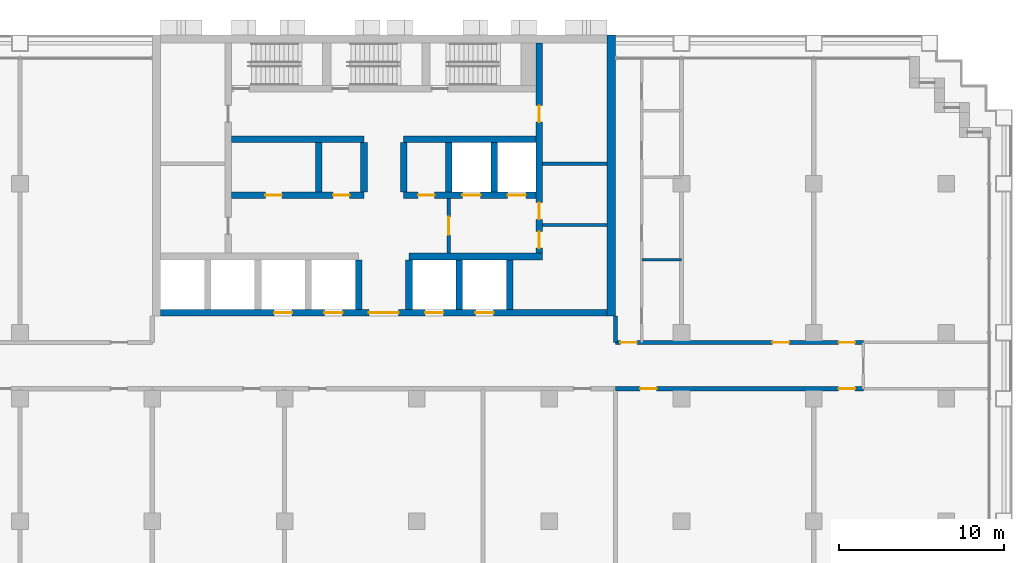
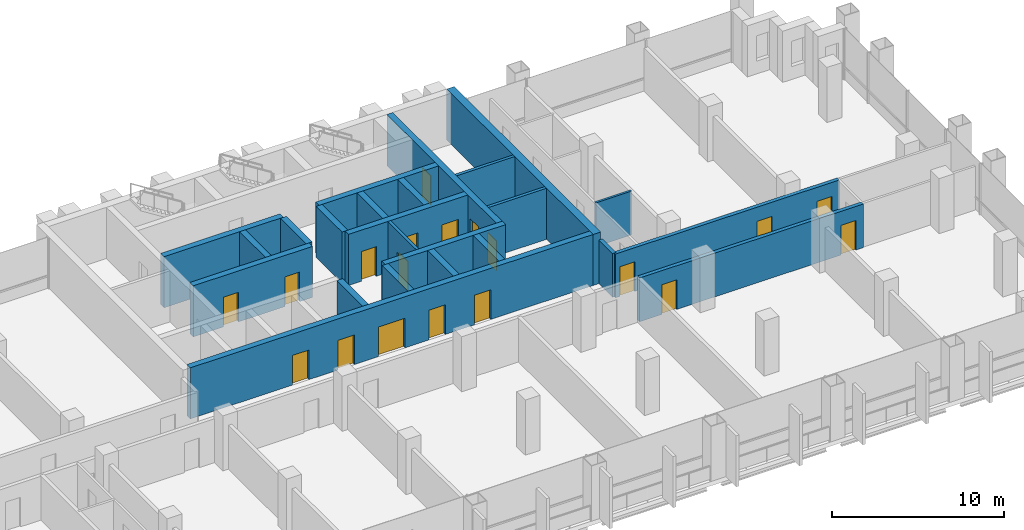
# One storey, part 8 of 13: 24 walls, 19 doors, 19 openings.
"""IFC4 building model written with IfcOpenShell, lengths in metres."""

import ifcopenshell
import ifcopenshell.guid

model = None  # the IFC model being written
_history = None  # IfcOwnerHistory: only IFC2X3 demands one
_inside = {}  # id of a spatial element -> (the spatial element, [elements in it])
_under = {}  # id of a project, library or spatial element -> (it, [spatial elements below it])
_declared = {}  # id of a project -> (the project, [libraries it declares])
_typed = {}  # id of a type object -> (the type object, [elements of that type])
_made_of = {}  # id of a material, layer set ... -> (it, [elements and type objects made of it])


def new_model(schema):
    """Start an empty IFC model of exactly this schema.

    Asked for "IFC4X3", IfcOpenShell would pick the latest addendum, in which some entities
    have other attributes; the version numbers below select the first issue.
    IFC2X3 requires an IfcOwnerHistory on every rooted entity: one is made here for all.
    """
    global model, _history
    if schema == "IFC4X3":
        model = ifcopenshell.file(schema_version=(4, 3, 0, 0))
    else:
        model = ifcopenshell.file(schema=schema)
    _inside.clear()
    _under.clear()
    _declared.clear()
    _typed.clear()
    _made_of.clear()
    _history = None
    if model.schema == "IFC2X3":
        org = make("IfcOrganization", Name="unknown")
        user = make(
            "IfcPersonAndOrganization",
            ThePerson=make("IfcPerson", FamilyName="unknown"),
            TheOrganization=org,
        )
        app = make(
            "IfcApplication",
            ApplicationDeveloper=org,
            Version="unknown",
            ApplicationFullName="unknown",
            ApplicationIdentifier="unknown",
        )
        _history = make(
            "IfcOwnerHistory",
            OwningUser=user,
            OwningApplication=app,
            ChangeAction="ADDED",
            CreationDate=0,
        )
    return model


def make(cls, **values):
    """One entity of the class cls with the attributes given. An attribute that is None is left unset."""
    return model.create_entity(
        cls, **{name: value for name, value in values.items() if value is not None}
    )


def rooted(cls, **values):
    """An entity with a GlobalId (a new one), such as an element, a storey or a relation."""
    return make(cls, GlobalId=ifcopenshell.guid.new(), OwnerHistory=_history, **values)


def si_unit(unit_type, name, prefix=None):
    """IfcSIUnit, for example si_unit("LENGTHUNIT", "METRE", prefix="MILLI")."""
    return make("IfcSIUnit", UnitType=unit_type, Prefix=prefix, Name=name)


def assignment(units):
    """IfcUnitAssignment: the units of a project."""
    return None if units is None else make("IfcUnitAssignment", Units=units)


def point(xyz):
    """IfcCartesianPoint."""
    return None if xyz is None else make("IfcCartesianPoint", Coordinates=xyz)


def direction(xyz):
    """IfcDirection."""
    return None if xyz is None else make("IfcDirection", DirectionRatios=xyz)


def frame(location, z_axis=None, x_axis=None):
    """IfcAxis2Placement3D, a coordinate frame: its origin and axes. An axis left out is left unset."""
    return make(
        "IfcAxis2Placement3D",
        Location=point(location),
        Axis=direction(z_axis),
        RefDirection=direction(x_axis),
    )


def frame_2d(location, x_axis=None):
    """IfcAxis2Placement2D, a coordinate frame in the plane: its origin and x axis."""
    return make(
        "IfcAxis2Placement2D", Location=point(location), RefDirection=direction(x_axis)
    )


def origin():
    """The frame at (0, 0, 0) with its axes left unset."""
    return frame((0.0, 0.0, 0.0))


def place(relative_to, where):
    """IfcLocalPlacement: puts the frame where relative to a parent placement (None: the world)."""
    return make(
        "IfcLocalPlacement", PlacementRelTo=relative_to, RelativePlacement=where
    )


def context(
    kind, dimensions, precision=None, world=None, true_north=None, identifier=None
):
    """IfcGeometricRepresentationContext, for example the 3D "Model" context."""
    return make(
        "IfcGeometricRepresentationContext",
        ContextIdentifier=identifier,
        ContextType=kind,
        CoordinateSpaceDimension=dimensions,
        Precision=precision,
        WorldCoordinateSystem=world,
        TrueNorth=true_north,
    )


def subcontext(parent, identifier, kind, view, scale=None):
    """IfcGeometricRepresentationSubContext, for example "Body" below "Model"."""
    return make(
        "IfcGeometricRepresentationSubContext",
        ContextIdentifier=identifier,
        ContextType=kind,
        ParentContext=parent,
        TargetScale=scale,
        TargetView=view,
    )


def project(units=None, contexts=None):
    """IfcProject with its units and contexts."""
    return rooted(
        "IfcProject",
        Name="project",
        RepresentationContexts=contexts,
        UnitsInContext=assignment(units),
    )


def spatial(cls, under=None, at=None, **own):
    """A site, building, storey or space (cls), placed at a placement, below another one or the project."""
    s = rooted(cls, ObjectPlacement=at, **own)
    if under is not None:
        _under.setdefault(under.id(), (under, []))[1].append(s)
    return s


def profile(cls, at=None, kind="AREA", **sizes):
    """A parametric profile (cls). Its sizes go by their IFC names, for example OverallWidth=200.0."""
    return make(cls, ProfileType=kind, Position=at, **sizes)


def rectangle(**sizes):
    """IfcRectangleProfileDef."""
    return profile("IfcRectangleProfileDef", **sizes)


def extrude(swept, where, along, depth):
    """IfcExtrudedAreaSolid: the profile swept, set in the frame where, extruded along a direction by depth."""
    return make(
        "IfcExtrudedAreaSolid",
        SweptArea=swept,
        Position=where,
        ExtrudedDirection=direction(along),
        Depth=depth,
    )


def shape(context_of_items, identifier, shape_type, items):
    """IfcShapeRepresentation: the items that make up one representation, for example the "Body"."""
    return make(
        "IfcShapeRepresentation",
        ContextOfItems=context_of_items,
        RepresentationIdentifier=identifier,
        RepresentationType=shape_type,
        Items=items,
    )


def material(Name=None, Category=None):
    """IfcMaterial."""
    return make("IfcMaterial", Name=Name, Category=Category)


def layer(
    of_material, thickness, ventilated=None, Name=None, Category=None, Priority=None
):
    """IfcMaterialLayer: one layer of a wall or slab, of a material (None: an air gap)."""
    return make(
        "IfcMaterialLayer",
        Material=of_material,
        LayerThickness=thickness,
        IsVentilated=ventilated,
        Name=Name,
        Category=Category,
        Priority=Priority,
    )


def layer_set(layers, Name=None):
    """IfcMaterialLayerSet."""
    return make("IfcMaterialLayerSet", MaterialLayers=layers, LayerSetName=Name)


def made_of(thing, what):
    """Note that an element or type object is made of a material, layer set ...; save() writes the relation."""
    if what is not None:
        _made_of.setdefault(what.id(), (what, []))[1].append(thing)
    return thing


def type_object(cls, material=None, **own):
    """A type object (cls), such as IfcWallType, which elements share."""
    return made_of(rooted(cls, **own), material)


def element(
    cls,
    number,
    at=None,
    inside=None,
    cuts=None,
    type_object=None,
    material=None,
    context=None,
    identifier="Body",
    shape_type=None,
    held_by="IfcProductDefinitionShape",
    body=None,
    shapes=None,
    **own,
):
    """One element of the class cls, such as IfcWall. Its Tag is "e" and its number.

    at: its placement. inside: the storey or other place that contains it. cuts: it is an
    opening in that element (IfcRelVoidsElement). A single representation is given by context,
    identifier, shape_type and body (its items); several are given by shapes. held_by: the class
    of the entity that holds the representations. save() writes the other relations.
    """
    e = rooted(cls, Tag="e%d" % number, ObjectPlacement=at, **own)
    if body is not None:
        shapes = [shape(context, identifier, shape_type, body)]
    if shapes is not None:
        e.Representation = make(held_by, Representations=shapes)
    if inside is not None:
        _inside.setdefault(inside.id(), (inside, []))[1].append(e)
    if cuts is not None:
        rooted(
            "IfcRelVoidsElement", RelatingBuildingElement=cuts, RelatedOpeningElement=e
        )
    if type_object is not None:
        _typed.setdefault(type_object.id(), (type_object, []))[1].append(e)
    return made_of(e, material)


def fill(opening, filler):
    """IfcRelFillsElement: the door or window that sits in an opening."""
    return rooted(
        "IfcRelFillsElement",
        RelatingOpeningElement=opening,
        RelatedBuildingElement=filler,
    )


def aggregate(whole, parts):
    """IfcRelAggregates: a whole, such as a stair, and the parts it consists of."""
    return rooted("IfcRelAggregates", RelatingObject=whole, RelatedObjects=parts)


def save(model, path):
    """Write the relations noted so far, then the file.

    IfcRelAggregates (storeys below a building ...), IfcRelContainedInSpatialStructure (elements
    in a storey), IfcRelDefinesByType, IfcRelAssociatesMaterial and IfcRelDeclares: one each for
    every whole, place, type object, material and project.
    """
    for whole, parts in _under.values():
        aggregate(whole, parts)
    for where, things in _inside.values():
        rooted(
            "IfcRelContainedInSpatialStructure",
            RelatedElements=things,
            RelatingStructure=where,
        )
    for kind, things in _typed.values():
        rooted("IfcRelDefinesByType", RelatedObjects=things, RelatingType=kind)
    for what, things in _made_of.values():
        rooted("IfcRelAssociatesMaterial", RelatedObjects=things, RelatingMaterial=what)
    for by, libraries in _declared.values():
        rooted("IfcRelDeclares", RelatingContext=by, RelatedDefinitions=libraries)
    model.write(path)


model = new_model("IFC4")

# Units and contexts
model_context = context("Model", 3, precision=1e-05, world=origin(), true_north=direction((0.0, 1.0)))
body_context = subcontext(model_context, "Body", "Model", "MODEL_VIEW")
ifc_project = project(units=[si_unit("LENGTHUNIT", "METRE"), si_unit("AREAUNIT", "SQUARE_METRE"), si_unit("VOLUMEUNIT", "CUBIC_METRE"), si_unit("PLANEANGLEUNIT", "RADIAN"), si_unit("MASSUNIT", "GRAM", prefix="KILO")], contexts=[model_context])

# Site, building, storey
site_placement = place(None, origin())
site = spatial("IfcSite", under=ifc_project, at=site_placement, CompositionType="ELEMENT")
building_placement = place(site_placement, origin())
building = spatial("IfcBuilding", under=site, at=building_placement, Name="Vidyagriha Tower", CompositionType="ELEMENT")
storey_placement = place(building_placement, frame((0.0, 0.0, 37.699951171875)))
storey = spatial("IfcBuildingStorey", under=building, at=storey_placement, Name="L09", CompositionType="ELEMENT", Elevation=37.699951171875)

# Wall, openings, doors
ifc_material_1 = material(Name="Concrete C60/75", Category="concrete")
ifc_layer_1 = layer(ifc_material_1, 0.39990234375)
ifc_layer_set_1 = layer_set([ifc_layer_1], Name="Concrete C60/75")
wall_type_1 = type_object("IfcWallType", Name="Core shear wall 400 mm", PredefinedType="SHEAR", material=ifc_layer_set_1)
wall_1_placement = place(storey_placement, frame((9.39990234375, 6.800048828125, 0.0), z_axis=(0.0, 0.0, 1.0), x_axis=(0.0, 1.0, 0.0)))
wall_1 = element("IfcWall", 1, at=wall_1_placement, inside=storey, type_object=wall_type_1, Name="Core east spine wall", PredefinedType="SHEAR", context=body_context, shape_type="SweptSolid", body=[
    extrude(rectangle(XDim=12.699951171875, YDim=0.39990234375, at=frame_2d((6.35009765625, 0.0))), origin(), (0.0, 0.0, 1.0), 3.6201171875),
])
opening_1_placement = place(wall_1_placement, frame((0.300048828125, 0.0, 0.0)))
opening_1 = element("IfcOpeningElement", 2, at=opening_1_placement, cuts=wall_1, Name="Opening D09-11", PredefinedType="OPENING", context=body_context, shape_type="SweptSolid", body=[
    extrude(rectangle(XDim=1.0, YDim=2.10009765625, at=frame_2d((0.5, 1.050048828125))), frame((0.0, 0.2099609375, 0.0), z_axis=(0.0, -1.0, 0.0), x_axis=(1.0, 0.0, 0.0)), (0.0, 0.0, 1.0), 0.419921875),
])
opening_2_placement = place(wall_1_placement, frame((2.050048828125, 0.0, 0.0)))
opening_2 = element("IfcOpeningElement", 3, at=opening_2_placement, cuts=wall_1, Name="Opening D09-12", PredefinedType="OPENING", context=body_context, shape_type="SweptSolid", body=[
    extrude(rectangle(XDim=1.0, YDim=2.10009765625, at=frame_2d((0.5, 1.050048828125))), frame((0.0, 0.2099609375, 0.0), z_axis=(0.0, -1.0, 0.0), x_axis=(1.0, 0.0, 0.0)), (0.0, 0.0, 1.0), 0.419921875),
])
opening_3_placement = place(wall_1_placement, frame((7.925048828125, 0.0, 0.0)))
opening_3 = element("IfcOpeningElement", 4, at=opening_3_placement, cuts=wall_1, Name="Opening D09-13", PredefinedType="OPENING", context=body_context, shape_type="SweptSolid", body=[
    extrude(rectangle(XDim=1.0, YDim=2.10009765625, at=frame_2d((0.5, 1.050048828125))), frame((0.0, 0.2099609375, 0.0), z_axis=(0.0, -1.0, 0.0), x_axis=(1.0, 0.0, 0.0)), (0.0, 0.0, 1.0), 0.419921875),
])
ifc_material_2 = material(Name="Hollow metal door leaf")
door_type_1 = type_object("IfcDoorType", Name="Core room door 1000 x 2100 mm EI 60", OperationType="NOTDEFINED", PredefinedType="DOOR", material=ifc_material_2)
door_1_placement = place(opening_1_placement, origin())
door_1 = element("IfcDoor", 5, at=door_1_placement, inside=storey, type_object=door_type_1, Name="Door Pressurisation Plant Room 09.E1", OperationType="SINGLE_SWING_RIGHT", OverallHeight=2.10009765625, OverallWidth=1.0, PredefinedType="DOOR", context=body_context, shape_type="SweptSolid", body=[
    extrude(rectangle(XDim=1.0, YDim=2.10009765625, at=frame_2d((0.5, 1.050048828125))), frame((0.0, 0.02490234375, 0.0), z_axis=(0.0, -1.0, 0.0), x_axis=(1.0, 0.0, 0.0)), (0.0, 0.0, 1.0), 0.050048828125),
])
fill(opening_1, door_1)
door_2_placement = place(opening_2_placement, origin())
door_2 = element("IfcDoor", 6, at=door_2_placement, inside=storey, type_object=door_type_1, Name="Door Switchgear Room 09.E2", OperationType="SINGLE_SWING_LEFT", OverallHeight=2.10009765625, OverallWidth=1.0, PredefinedType="DOOR", context=body_context, shape_type="SweptSolid", body=[
    extrude(rectangle(XDim=1.0, YDim=2.10009765625, at=frame_2d((0.5, 1.050048828125))), frame((0.0, 0.02490234375, 0.0), z_axis=(0.0, -1.0, 0.0), x_axis=(1.0, 0.0, 0.0)), (0.0, 0.0, 1.0), 0.050048828125),
])
fill(opening_2, door_2)
door_3_placement = place(opening_3_placement, origin())
door_3 = element("IfcDoor", 7, at=door_3_placement, inside=storey, type_object=door_type_1, Name="Door Communications Room 09.E3", OperationType="SINGLE_SWING_LEFT", OverallHeight=2.10009765625, OverallWidth=1.0, PredefinedType="DOOR", context=body_context, shape_type="SweptSolid", body=[
    extrude(rectangle(XDim=1.0, YDim=2.10009765625, at=frame_2d((0.5, 1.050048828125))), frame((0.0, 0.02490234375, 0.0), z_axis=(0.0, -1.0, 0.0), x_axis=(1.0, 0.0, 0.0)), (0.0, 0.0, 1.0), 0.050048828125),
])
fill(opening_3, door_3)

wall_2_placement = place(storey_placement, frame((-13.5, 3.199951171875, 0.0)))
wall_2 = element("IfcWall", 8, at=wall_2_placement, inside=storey, type_object=wall_type_1, Name="Core front wall", PredefinedType="SHEAR", context=body_context, shape_type="SweptSolid", body=[
    extrude(rectangle(XDim=27.0, YDim=0.39990234375, at=frame_2d((13.5, 0.0))), origin(), (0.0, 0.0, 1.0), 3.6201171875),
])
opening_4_placement = place(wall_2_placement, frame((6.861083984375, 0.0, 0.0)))
opening_4 = element("IfcOpeningElement", 9, at=opening_4_placement, cuts=wall_2, Name="Opening LD09-01", PredefinedType="OPENING", context=body_context, shape_type="SweptSolid", body=[
    extrude(rectangle(XDim=1.10009765625, YDim=2.10009765625, at=frame_2d((0.550048828125, 1.050048828125))), frame((0.0, 0.2099609375, 0.0), z_axis=(0.0, -1.0, 0.0), x_axis=(1.0, 0.0, 0.0)), (0.0, 0.0, 1.0), 0.419921875),
])
opening_5_placement = place(wall_2_placement, frame((9.905517578125, 0.0, 0.0)))
opening_5 = element("IfcOpeningElement", 10, at=opening_5_placement, cuts=wall_2, Name="Opening LD09-02", PredefinedType="OPENING", context=body_context, shape_type="SweptSolid", body=[
    extrude(rectangle(XDim=1.10009765625, YDim=2.10009765625, at=frame_2d((0.550048828125, 1.050048828125))), frame((0.0, 0.2099609375, 0.0), z_axis=(0.0, -1.0, 0.0), x_axis=(1.0, 0.0, 0.0)), (0.0, 0.0, 1.0), 0.419921875),
])
opening_6_placement = place(wall_2_placement, frame((15.994384765625, 0.0, 0.0)))
opening_6 = element("IfcOpeningElement", 11, at=opening_6_placement, cuts=wall_2, Name="Opening LD09-03", PredefinedType="OPENING", context=body_context, shape_type="SweptSolid", body=[
    extrude(rectangle(XDim=1.10009765625, YDim=2.10009765625, at=frame_2d((0.550048828125, 1.050048828125))), frame((0.0, 0.2099609375, 0.0), z_axis=(0.0, -1.0, 0.0), x_axis=(1.0, 0.0, 0.0)), (0.0, 0.0, 1.0), 0.419921875),
])
opening_7_placement = place(wall_2_placement, frame((19.038818359375, 0.0, 0.0)))
opening_7 = element("IfcOpeningElement", 12, at=opening_7_placement, cuts=wall_2, Name="Opening LD09-04", PredefinedType="OPENING", context=body_context, shape_type="SweptSolid", body=[
    extrude(rectangle(XDim=1.10009765625, YDim=2.10009765625, at=frame_2d((0.550048828125, 1.050048828125))), frame((0.0, 0.2099609375, 0.0), z_axis=(0.0, -1.0, 0.0), x_axis=(1.0, 0.0, 0.0)), (0.0, 0.0, 1.0), 0.419921875),
])
opening_8_placement = place(wall_2_placement, frame((12.60009765625, 0.0, 0.0)))
opening_8 = element("IfcOpeningElement", 13, at=opening_8_placement, cuts=wall_2, Name="Opening D09-01", PredefinedType="OPENING", context=body_context, shape_type="SweptSolid", body=[
    extrude(rectangle(XDim=1.800048828125, YDim=2.10009765625, at=frame_2d((0.89990234375, 1.050048828125))), frame((0.0, 0.2099609375, 0.0), z_axis=(0.0, -1.0, 0.0), x_axis=(1.0, 0.0, 0.0)), (0.0, 0.0, 1.0), 0.419921875),
])
ifc_material_3 = material(Name="Hollow metal door leaf")
door_type_2 = type_object("IfcDoorType", Name="Core lobby double door 1800 x 2100 mm EI 60", OperationType="NOTDEFINED", PredefinedType="DOOR", material=ifc_material_3)
door_4_placement = place(opening_8_placement, frame((1.800048828125, 0.0, 0.0), z_axis=(0.0, 0.0, 1.0), x_axis=(-1.0, 0.0, 0.0)))
door_4 = element("IfcDoor", 14, at=door_4_placement, inside=storey, type_object=door_type_2, Name="Core entrance door L09", OperationType="DOUBLE_DOOR_SINGLE_SWING", OverallHeight=2.10009765625, OverallWidth=1.800048828125, PredefinedType="DOOR", context=body_context, shape_type="SweptSolid", body=[
    extrude(rectangle(XDim=1.800048828125, YDim=2.10009765625, at=frame_2d((0.89990234375, 1.050048828125))), frame((0.0, 0.02490234375, 0.0), z_axis=(0.0, -1.0, 0.0), x_axis=(1.0, 0.0, 0.0)), (0.0, 0.0, 1.0), 0.050048828125),
])
fill(opening_8, door_4)
ifc_material_4 = material(Name="Stainless steel sliding door panel", Category="steel")
door_type_3 = type_object("IfcDoorType", Name="Lift landing door 1100 x 2100 mm EI 90", OperationType="NOTDEFINED", PredefinedType="DOOR", material=ifc_material_4)
door_5_placement = place(opening_4_placement, origin())
door_5 = element("IfcDoor", 15, at=door_5_placement, inside=storey, type_object=door_type_3, Name="Landing door LR1 L09", OperationType="SLIDING_TO_LEFT", OverallHeight=2.10009765625, OverallWidth=1.10009765625, PredefinedType="DOOR", context=body_context, shape_type="SweptSolid", body=[
    extrude(rectangle(XDim=1.10009765625, YDim=2.10009765625, at=frame_2d((0.550048828125, 1.050048828125))), frame((0.0, 0.02490234375, 0.0), z_axis=(0.0, -1.0, 0.0), x_axis=(1.0, 0.0, 0.0)), (0.0, 0.0, 1.0), 0.050048828125),
])
fill(opening_4, door_5)
door_6_placement = place(opening_5_placement, origin())
door_6 = element("IfcDoor", 16, at=door_6_placement, inside=storey, type_object=door_type_3, Name="Landing door LR2 L09", OperationType="SLIDING_TO_LEFT", OverallHeight=2.10009765625, OverallWidth=1.10009765625, PredefinedType="DOOR", context=body_context, shape_type="SweptSolid", body=[
    extrude(rectangle(XDim=1.10009765625, YDim=2.10009765625, at=frame_2d((0.550048828125, 1.050048828125))), frame((0.0, 0.02490234375, 0.0), z_axis=(0.0, -1.0, 0.0), x_axis=(1.0, 0.0, 0.0)), (0.0, 0.0, 1.0), 0.050048828125),
])
fill(opening_5, door_6)
door_7_placement = place(opening_6_placement, origin())
door_7 = element("IfcDoor", 17, at=door_7_placement, inside=storey, type_object=door_type_3, Name="Landing door LR3 L09", OperationType="SLIDING_TO_LEFT", OverallHeight=2.10009765625, OverallWidth=1.10009765625, PredefinedType="DOOR", context=body_context, shape_type="SweptSolid", body=[
    extrude(rectangle(XDim=1.10009765625, YDim=2.10009765625, at=frame_2d((0.550048828125, 1.050048828125))), frame((0.0, 0.02490234375, 0.0), z_axis=(0.0, -1.0, 0.0), x_axis=(1.0, 0.0, 0.0)), (0.0, 0.0, 1.0), 0.050048828125),
])
fill(opening_6, door_7)
door_8_placement = place(opening_7_placement, origin())
door_8 = element("IfcDoor", 18, at=door_8_placement, inside=storey, type_object=door_type_3, Name="Landing door LR4 L09", OperationType="SLIDING_TO_LEFT", OverallHeight=2.10009765625, OverallWidth=1.10009765625, PredefinedType="DOOR", context=body_context, shape_type="SweptSolid", body=[
    extrude(rectangle(XDim=1.10009765625, YDim=2.10009765625, at=frame_2d((0.550048828125, 1.050048828125))), frame((0.0, 0.02490234375, 0.0), z_axis=(0.0, -1.0, 0.0), x_axis=(1.0, 0.0, 0.0)), (0.0, 0.0, 1.0), 0.050048828125),
])
fill(opening_7, door_8)

# Walls
wall_3_placement = place(storey_placement, frame((1.522216796875, 6.60009765625, 0.0)))
element("IfcWall", 19, at=wall_3_placement, inside=storey, type_object=wall_type_1, Name="Core lobby south wall east", PredefinedType="SHEAR", context=body_context, shape_type="SweptSolid", body=[
    extrude(rectangle(XDim=8.077880859375, YDim=0.39990234375, at=frame_2d((4.0390625, 0.0))), origin(), (0.0, 0.0, 1.0), 3.6201171875),
])
for number, where, z_axis, x_axis, name in (
    (20, (-1.522216796875, 3.39990234375, 0.0), (0.0, 0.0, 1.0), (0.0, 1.0, 0.0), "Core bay wall S4"),
    (21, (1.522216796875, 3.39990234375, 0.0), (0.0, 0.0, 1.0), (0.0, 1.0, 0.0), "Core bay wall S5"),
    (22, (4.566650390625, 3.39990234375, 0.0), (0.0, 0.0, 1.0), (0.0, 1.0, 0.0), "Core bay wall S6"),
    (23, (7.611083984375, 3.39990234375, 0.0), (0.0, 0.0, 1.0), (0.0, 1.0, 0.0), "Core bay wall S7"),
):
    element("IfcWall", number, at=place(storey_placement, frame(where, z_axis=z_axis, x_axis=x_axis)), inside=storey, type_object=wall_type_1, Name=name, PredefinedType="SHEAR", context=body_context, shape_type="SweptSolid", body=[
        extrude(rectangle(XDim=3.0, YDim=0.39990234375, at=frame_2d((1.5, 0.0))), origin(), (0.0, 0.0, 1.0), 3.6201171875),
    ])

# Wall, openings, doors
wall_4_placement = place(storey_placement, frame((-9.199951171875, 10.300048828125, 0.0)))
wall_4 = element("IfcWall", 24, at=wall_4_placement, inside=storey, type_object=wall_type_1, Name="Core row N front wall", PredefinedType="SHEAR", context=body_context, shape_type="SweptSolid", body=[
    extrude(rectangle(XDim=8.0, YDim=0.39990234375, at=frame_2d((4.0, 0.0))), origin(), (0.0, 0.0, 1.0), 3.6201171875),
])
opening_9_placement = place(wall_4_placement, frame((2.033203125, 0.0, 0.0)))
opening_9 = element("IfcOpeningElement", 25, at=opening_9_placement, cuts=wall_4, Name="Opening D09-02", PredefinedType="OPENING", context=body_context, shape_type="SweptSolid", body=[
    extrude(rectangle(XDim=1.0, YDim=2.10009765625, at=frame_2d((0.5, 1.050048828125))), frame((0.0, 0.2099609375, 0.0), z_axis=(0.0, -1.0, 0.0), x_axis=(1.0, 0.0, 0.0)), (0.0, 0.0, 1.0), 0.419921875),
])
opening_10_placement = place(wall_4_placement, frame((6.13330078125, 0.0, 0.0)))
opening_10 = element("IfcOpeningElement", 26, at=opening_10_placement, cuts=wall_4, Name="Opening D09-03", PredefinedType="OPENING", context=body_context, shape_type="SweptSolid", body=[
    extrude(rectangle(XDim=1.0, YDim=2.10009765625, at=frame_2d((0.5, 1.050048828125))), frame((0.0, 0.2099609375, 0.0), z_axis=(0.0, -1.0, 0.0), x_axis=(1.0, 0.0, 0.0)), (0.0, 0.0, 1.0), 0.419921875),
])
door_9_placement = place(opening_9_placement, frame((1.0, 0.0, 0.0), z_axis=(0.0, 0.0, 1.0), x_axis=(-1.0, 0.0, 0.0)))
door_9 = element("IfcDoor", 27, at=door_9_placement, inside=storey, type_object=door_type_1, Name="Door Storage Room 09.14", OperationType="SINGLE_SWING_RIGHT", OverallHeight=2.10009765625, OverallWidth=1.0, PredefinedType="DOOR", context=body_context, shape_type="SweptSolid", body=[
    extrude(rectangle(XDim=1.0, YDim=2.10009765625, at=frame_2d((0.5, 1.050048828125))), frame((0.0, 0.02490234375, 0.0), z_axis=(0.0, -1.0, 0.0), x_axis=(1.0, 0.0, 0.0)), (0.0, 0.0, 1.0), 0.050048828125),
])
fill(opening_9, door_9)
door_10_placement = place(opening_10_placement, frame((1.0, 0.0, 0.0), z_axis=(0.0, 0.0, 1.0), x_axis=(-1.0, 0.0, 0.0)))
door_10 = element("IfcDoor", 28, at=door_10_placement, inside=storey, type_object=door_type_1, Name="Door Communications Room 09.15", OperationType="SINGLE_SWING_LEFT", OverallHeight=2.10009765625, OverallWidth=1.0, PredefinedType="DOOR", context=body_context, shape_type="SweptSolid", body=[
    extrude(rectangle(XDim=1.0, YDim=2.10009765625, at=frame_2d((0.5, 1.050048828125))), frame((0.0, 0.02490234375, 0.0), z_axis=(0.0, -1.0, 0.0), x_axis=(1.0, 0.0, 0.0)), (0.0, 0.0, 1.0), 0.050048828125),
])
fill(opening_10, door_10)

# Wall
wall_5_placement = place(storey_placement, frame((-9.199951171875, 13.699951171875, 0.0)))
element("IfcWall", 29, at=wall_5_placement, inside=storey, type_object=wall_type_1, Name="Core row N rear wall", PredefinedType="SHEAR", context=body_context, shape_type="SweptSolid", body=[
    extrude(rectangle(XDim=8.0, YDim=0.39990234375, at=frame_2d((4.0, 0.0))), origin(), (0.0, 0.0, 1.0), 3.6201171875),
])

# Wall, openings, doors
wall_6_placement = place(storey_placement, frame((1.199951171875, 10.300048828125, 0.0)))
wall_6 = element("IfcWall", 30, at=wall_6_placement, inside=storey, type_object=wall_type_1, Name="Core row N front wall", PredefinedType="SHEAR", context=body_context, shape_type="SweptSolid", body=[
    extrude(rectangle(XDim=8.0, YDim=0.39990234375, at=frame_2d((4.0, 0.0))), origin(), (0.0, 0.0, 1.0), 3.6201171875),
])
opening_11_placement = place(wall_6_placement, frame((3.550048828125, 0.0, 0.0)))
opening_11 = element("IfcOpeningElement", 31, at=opening_11_placement, cuts=wall_6, Name="Opening LD09-05", PredefinedType="OPENING", context=body_context, shape_type="SweptSolid", body=[
    extrude(rectangle(XDim=1.10009765625, YDim=2.10009765625, at=frame_2d((0.550048828125, 1.050048828125))), frame((0.0, 0.2099609375, 0.0), z_axis=(0.0, -1.0, 0.0), x_axis=(1.0, 0.0, 0.0)), (0.0, 0.0, 1.0), 0.419921875),
])
opening_12_placement = place(wall_6_placement, frame((6.283203125, 0.0, 0.0)))
opening_12 = element("IfcOpeningElement", 32, at=opening_12_placement, cuts=wall_6, Name="Opening LD09-06", PredefinedType="OPENING", context=body_context, shape_type="SweptSolid", body=[
    extrude(rectangle(XDim=1.10009765625, YDim=2.10009765625, at=frame_2d((0.550048828125, 1.050048828125))), frame((0.0, 0.2099609375, 0.0), z_axis=(0.0, -1.0, 0.0), x_axis=(1.0, 0.0, 0.0)), (0.0, 0.0, 1.0), 0.419921875),
])
opening_13_placement = place(wall_6_placement, frame((0.86669921875, 0.0, 0.0)))
opening_13 = element("IfcOpeningElement", 33, at=opening_13_placement, cuts=wall_6, Name="Opening D09-04", PredefinedType="OPENING", context=body_context, shape_type="SweptSolid", body=[
    extrude(rectangle(XDim=1.0, YDim=2.10009765625, at=frame_2d((0.5, 1.050048828125))), frame((0.0, 0.2099609375, 0.0), z_axis=(0.0, -1.0, 0.0), x_axis=(1.0, 0.0, 0.0)), (0.0, 0.0, 1.0), 0.419921875),
])
door_11_placement = place(opening_13_placement, frame((1.0, 0.0, 0.0), z_axis=(0.0, 0.0, 1.0), x_axis=(-1.0, 0.0, 0.0)))
door_11 = element("IfcDoor", 34, at=door_11_placement, inside=storey, type_object=door_type_1, Name="Door Refuse Room 09.16", OperationType="SINGLE_SWING_LEFT", OverallHeight=2.10009765625, OverallWidth=1.0, PredefinedType="DOOR", context=body_context, shape_type="SweptSolid", body=[
    extrude(rectangle(XDim=1.0, YDim=2.10009765625, at=frame_2d((0.5, 1.050048828125))), frame((0.0, 0.02490234375, 0.0), z_axis=(0.0, -1.0, 0.0), x_axis=(1.0, 0.0, 0.0)), (0.0, 0.0, 1.0), 0.050048828125),
])
fill(opening_13, door_11)
door_12_placement = place(opening_11_placement, origin())
door_12 = element("IfcDoor", 35, at=door_12_placement, inside=storey, type_object=door_type_3, Name="Landing door FF1 L09", OperationType="SLIDING_TO_LEFT", OverallHeight=2.10009765625, OverallWidth=1.10009765625, PredefinedType="DOOR", context=body_context, shape_type="SweptSolid", body=[
    extrude(rectangle(XDim=1.10009765625, YDim=2.10009765625, at=frame_2d((0.550048828125, 1.050048828125))), frame((0.0, 0.02490234375, 0.0), z_axis=(0.0, -1.0, 0.0), x_axis=(1.0, 0.0, 0.0)), (0.0, 0.0, 1.0), 0.050048828125),
])
fill(opening_11, door_12)
door_13_placement = place(opening_12_placement, origin())
door_13 = element("IfcDoor", 36, at=door_13_placement, inside=storey, type_object=door_type_3, Name="Landing door FF2 L09", OperationType="SLIDING_TO_LEFT", OverallHeight=2.10009765625, OverallWidth=1.10009765625, PredefinedType="DOOR", context=body_context, shape_type="SweptSolid", body=[
    extrude(rectangle(XDim=1.10009765625, YDim=2.10009765625, at=frame_2d((0.550048828125, 1.050048828125))), frame((0.0, 0.02490234375, 0.0), z_axis=(0.0, -1.0, 0.0), x_axis=(1.0, 0.0, 0.0)), (0.0, 0.0, 1.0), 0.050048828125),
])
fill(opening_12, door_13)

# Walls
wall_7_placement = place(storey_placement, frame((1.199951171875, 13.699951171875, 0.0)))
element("IfcWall", 37, at=wall_7_placement, inside=storey, type_object=wall_type_1, Name="Core row N rear wall", PredefinedType="SHEAR", context=body_context, shape_type="SweptSolid", body=[
    extrude(rectangle(XDim=8.0, YDim=0.39990234375, at=frame_2d((4.0, 0.0))), origin(), (0.0, 0.0, 1.0), 3.6201171875),
])
for number, where, z_axis, x_axis, name in (
    (38, (-3.933349609375, 10.5, 0.0), (0.0, 0.0, 1.0), (0.0, 1.0, 0.0), "Core bay wall N2"),
    (39, (-1.199951171875, 10.5, 0.0), (0.0, 0.0, 1.0), (0.0, 1.0, 0.0), "Core bay wall N3"),
    (40, (1.199951171875, 10.5, 0.0), (0.0, 0.0, 1.0), (0.0, 1.0, 0.0), "Core bay wall N4"),
    (41, (3.933349609375, 10.5, 0.0), (0.0, 0.0, 1.0), (0.0, 1.0, 0.0), "Core bay wall N5"),
    (42, (6.666748046875, 10.5, 0.0), (0.0, 0.0, 1.0), (0.0, 1.0, 0.0), "Core bay wall N6"),
):
    element("IfcWall", number, at=place(storey_placement, frame(where, z_axis=z_axis, x_axis=x_axis)), inside=storey, type_object=wall_type_1, Name=name, PredefinedType="SHEAR", context=body_context, shape_type="SweptSolid", body=[
        extrude(rectangle(XDim=3.0, YDim=0.39990234375, at=frame_2d((1.5, 0.0))), origin(), (0.0, 0.0, 1.0), 3.6201171875),
    ])
ifc_material_5 = material(Name="Concrete C60/75", Category="concrete")
ifc_layer_2 = layer(ifc_material_5, 0.5)
ifc_layer_set_2 = layer_set([ifc_layer_2], Name="Concrete C60/75")
wall_type_2 = type_object("IfcWallType", Name="Core shear wall 500 mm", PredefinedType="SHEAR", material=ifc_layer_set_2)
wall_8_placement = place(storey_placement, frame((13.75, 3.0, 0.0), z_axis=(0.0, 0.0, 1.0), x_axis=(0.0, 1.0, 0.0)))
element("IfcWall", 43, at=wall_8_placement, inside=storey, type_object=wall_type_2, Name="Core east wall", PredefinedType="SHEAR", context=body_context, shape_type="SweptSolid", body=[
    extrude(rectangle(XDim=17.0, YDim=0.5, at=frame_2d((8.5, 0.0))), origin(), (0.0, 0.0, 1.0), 3.6201171875),
])

# Wall, openings, doors
ifc_material_6 = material(Name="Fired clay brick masonry", Category="masonry")
ifc_layer_3 = layer(ifc_material_6, 0.25)
ifc_layer_set_3 = layer_set([ifc_layer_3], Name="Fired clay brick masonry")
wall_type_3 = type_object("IfcWallType", Name="Fired clay brick corridor wall 250", PredefinedType="PARTITIONING", material=ifc_layer_set_3)
wall_9_placement = place(storey_placement, frame((29.0, -1.39990234375, 0.0), z_axis=(0.0, 0.0, 1.0), x_axis=(-1.0, 0.0, 0.0)))
wall_9 = element("IfcWall", 44, at=wall_9_placement, inside=storey, type_object=wall_type_3, Name="Wall all-L09-w024", PredefinedType="PARTITIONING", context=body_context, shape_type="SweptSolid", body=[
    extrude(rectangle(XDim=15.0, YDim=0.25, at=frame_2d((7.5, 0.0))), origin(), (0.0, 0.0, 1.0), 3.10009765625),
])
opening_14_placement = place(wall_9_placement, frame((12.5, 0.0, 0.0)))
opening_14 = element("IfcOpeningElement", 45, at=opening_14_placement, cuts=wall_9, Name="Opening D09-24", PredefinedType="OPENING", context=body_context, shape_type="SweptSolid", body=[
    extrude(rectangle(XDim=1.0, YDim=2.10009765625, at=frame_2d((0.5, 1.050048828125))), frame((0.0, 0.135009765625, 0.0), z_axis=(0.0, -1.0, 0.0), x_axis=(1.0, 0.0, 0.0)), (0.0, 0.0, 1.0), 0.27001953125),
])
opening_15_placement = place(wall_9_placement, frame((0.5, 0.0, 0.0)))
opening_15 = element("IfcOpeningElement", 46, at=opening_15_placement, cuts=wall_9, Name="Opening D09-25", PredefinedType="OPENING", context=body_context, shape_type="SweptSolid", body=[
    extrude(rectangle(XDim=1.0, YDim=2.10009765625, at=frame_2d((0.5, 1.050048828125))), frame((0.0, 0.135009765625, 0.0), z_axis=(0.0, -1.0, 0.0), x_axis=(1.0, 0.0, 0.0)), (0.0, 0.0, 1.0), 0.27001953125),
])
ifc_material_7 = material(Name="Fire-rated timber door leaf EI 60", Category="wood")
door_type_4 = type_object("IfcDoorType", Name="Flat entrance fire door 1000x2100", OperationType="NOTDEFINED", PredefinedType="DOOR", material=ifc_material_7)
door_14_placement = place(opening_14_placement, origin())
door_14 = element("IfcDoor", 47, at=door_14_placement, inside=storey, type_object=door_type_4, Name="Door D09-24", OperationType="SINGLE_SWING_RIGHT", OverallHeight=2.10009765625, OverallWidth=1.0, PredefinedType="DOOR", context=body_context, shape_type="SweptSolid", body=[
    extrude(rectangle(XDim=1.0, YDim=2.10009765625, at=frame_2d((0.5, 1.050048828125))), frame((0.0, 0.02490234375, 0.0), z_axis=(0.0, -1.0, 0.0), x_axis=(1.0, 0.0, 0.0)), (0.0, 0.0, 1.0), 0.050048828125),
])
fill(opening_14, door_14)
door_15_placement = place(opening_15_placement, origin())
door_15 = element("IfcDoor", 48, at=door_15_placement, inside=storey, type_object=door_type_4, Name="Door D09-25", OperationType="SINGLE_SWING_RIGHT", OverallHeight=2.10009765625, OverallWidth=1.0, PredefinedType="DOOR", context=body_context, shape_type="SweptSolid", body=[
    extrude(rectangle(XDim=1.0, YDim=2.10009765625, at=frame_2d((0.5, 1.050048828125))), frame((0.0, 0.02490234375, 0.0), z_axis=(0.0, -1.0, 0.0), x_axis=(1.0, 0.0, 0.0)), (0.0, 0.0, 1.0), 0.050048828125),
])
fill(opening_15, door_15)

wall_10_placement = place(storey_placement, frame((14.0, 1.39990234375, 0.0)))
wall_10 = element("IfcWall", 49, at=wall_10_placement, inside=storey, type_object=wall_type_3, Name="Wall all-L09-w032", PredefinedType="PARTITIONING", context=body_context, shape_type="SweptSolid", body=[
    extrude(rectangle(XDim=15.0, YDim=0.25, at=frame_2d((7.5, 0.0))), origin(), (0.0, 0.0, 1.0), 3.10009765625),
])
opening_16_placement = place(wall_10_placement, frame((0.300048828125, 0.0, 0.0)))
opening_16 = element("IfcOpeningElement", 50, at=opening_16_placement, cuts=wall_10, Name="Opening D09-31", PredefinedType="OPENING", context=body_context, shape_type="SweptSolid", body=[
    extrude(rectangle(XDim=1.0, YDim=2.10009765625, at=frame_2d((0.5, 1.050048828125))), frame((0.0, 0.135009765625, 0.0), z_axis=(0.0, -1.0, 0.0), x_axis=(1.0, 0.0, 0.0)), (0.0, 0.0, 1.0), 0.27001953125),
])
opening_17_placement = place(wall_10_placement, frame((9.5, 0.0, 0.0)))
opening_17 = element("IfcOpeningElement", 51, at=opening_17_placement, cuts=wall_10, Name="Opening D09-32", PredefinedType="OPENING", context=body_context, shape_type="SweptSolid", body=[
    extrude(rectangle(XDim=1.0, YDim=2.10009765625, at=frame_2d((0.5, 1.050048828125))), frame((0.0, 0.135009765625, 0.0), z_axis=(0.0, -1.0, 0.0), x_axis=(1.0, 0.0, 0.0)), (0.0, 0.0, 1.0), 0.27001953125),
])
opening_18_placement = place(wall_10_placement, frame((13.5, 0.0, 0.0)))
opening_18 = element("IfcOpeningElement", 52, at=opening_18_placement, cuts=wall_10, Name="Opening D09-33", PredefinedType="OPENING", context=body_context, shape_type="SweptSolid", body=[
    extrude(rectangle(XDim=1.0, YDim=2.10009765625, at=frame_2d((0.5, 1.050048828125))), frame((0.0, 0.135009765625, 0.0), z_axis=(0.0, -1.0, 0.0), x_axis=(1.0, 0.0, 0.0)), (0.0, 0.0, 1.0), 0.27001953125),
])
door_16_placement = place(opening_16_placement, origin())
door_16 = element("IfcDoor", 53, at=door_16_placement, inside=storey, type_object=door_type_4, Name="Door D09-31", OperationType="SINGLE_SWING_RIGHT", OverallHeight=2.10009765625, OverallWidth=1.0, PredefinedType="DOOR", context=body_context, shape_type="SweptSolid", body=[
    extrude(rectangle(XDim=1.0, YDim=2.10009765625, at=frame_2d((0.5, 1.050048828125))), frame((0.0, 0.02490234375, 0.0), z_axis=(0.0, -1.0, 0.0), x_axis=(1.0, 0.0, 0.0)), (0.0, 0.0, 1.0), 0.050048828125),
])
fill(opening_16, door_16)
door_17_placement = place(opening_17_placement, origin())
door_17 = element("IfcDoor", 54, at=door_17_placement, inside=storey, type_object=door_type_4, Name="Door D09-32", OperationType="SINGLE_SWING_RIGHT", OverallHeight=2.10009765625, OverallWidth=1.0, PredefinedType="DOOR", context=body_context, shape_type="SweptSolid", body=[
    extrude(rectangle(XDim=1.0, YDim=2.10009765625, at=frame_2d((0.5, 1.050048828125))), frame((0.0, 0.02490234375, 0.0), z_axis=(0.0, -1.0, 0.0), x_axis=(1.0, 0.0, 0.0)), (0.0, 0.0, 1.0), 0.050048828125),
])
fill(opening_17, door_17)
door_18_placement = place(opening_18_placement, origin())
door_18 = element("IfcDoor", 55, at=door_18_placement, inside=storey, type_object=door_type_4, Name="Door D09-33", OperationType="SINGLE_SWING_LEFT", OverallHeight=2.10009765625, OverallWidth=1.0, PredefinedType="DOOR", context=body_context, shape_type="SweptSolid", body=[
    extrude(rectangle(XDim=1.0, YDim=2.10009765625, at=frame_2d((0.5, 1.050048828125))), frame((0.0, 0.02490234375, 0.0), z_axis=(0.0, -1.0, 0.0), x_axis=(1.0, 0.0, 0.0)), (0.0, 0.0, 1.0), 0.050048828125),
])
fill(opening_18, door_18)

# Walls
wall_11_placement = place(storey_placement, frame((14.0, 1.39990234375, 0.0), z_axis=(0.0, 0.0, 1.0), x_axis=(0.0, 1.0, 0.0)))
element("IfcWall", 56, at=wall_11_placement, inside=storey, type_object=wall_type_3, Name="Wall all-L09-w054", PredefinedType="PARTITIONING", context=body_context, shape_type="SweptSolid", body=[
    extrude(rectangle(XDim=1.60009765625, YDim=0.25, at=frame_2d((0.800048828125, 0.0))), origin(), (0.0, 0.0, 1.0), 3.10009765625),
])
ifc_material_8 = material(Name="Gypsum board partition")
ifc_layer_4 = layer(ifc_material_8, 0.14990234375)
ifc_layer_set_4 = layer_set([ifc_layer_4], Name="Gypsum board partition")
wall_type_4 = type_object("IfcWallType", Name="Gypsum board partition 150", PredefinedType="PARTITIONING", material=ifc_layer_set_4)
wall_12_placement = place(storey_placement, frame((15.60009765625, 6.39990234375, 0.0)))
element("IfcWall", 57, at=wall_12_placement, inside=storey, type_object=wall_type_4, Name="Wall all-L09-w036", PredefinedType="PARTITIONING", context=body_context, shape_type="SweptSolid", body=[
    extrude(rectangle(XDim=2.39990234375, YDim=0.14990234375, at=frame_2d((1.199951171875, 0.0))), origin(), (0.0, 0.0, 1.0), 3.10009765625),
])

# Wall, opening, door
ifc_material_9 = material(Name="Blockwork 15 MPa", Category="masonry")
ifc_layer_5 = layer(ifc_material_9, 0.199951171875)
ifc_layer_set_5 = layer_set([ifc_layer_5], Name="Blockwork 15 MPa")
wall_type_5 = type_object("IfcWallType", Name="Service room partition 200 mm", PredefinedType="PARTITIONING", material=ifc_layer_set_5)
wall_13_placement = place(storey_placement, frame((3.933349609375, 6.800048828125, 0.0), z_axis=(0.0, 0.0, 1.0), x_axis=(0.0, 1.0, 0.0)))
wall_13 = element("IfcWall", 58, at=wall_13_placement, inside=storey, type_object=wall_type_5, Name="Fire-fighting lobby west wall", PredefinedType="PARTITIONING", context=body_context, shape_type="SweptSolid", body=[
    extrude(rectangle(XDim=3.300048828125, YDim=0.199951171875, at=frame_2d((1.64990234375, 0.0))), origin(), (0.0, 0.0, 1.0), 3.6201171875),
])
opening_19_placement = place(wall_13_placement, frame((1.10009765625, 0.0, 0.0)))
opening_19 = element("IfcOpeningElement", 59, at=opening_19_placement, cuts=wall_13, Name="Opening D09-05", PredefinedType="OPENING", context=body_context, shape_type="SweptSolid", body=[
    extrude(rectangle(XDim=1.10009765625, YDim=2.10009765625, at=frame_2d((0.550048828125, 1.050048828125))), frame((0.0, 0.10986328125, 0.0), z_axis=(0.0, -1.0, 0.0), x_axis=(1.0, 0.0, 0.0)), (0.0, 0.0, 1.0), 0.219970703125),
])
ifc_material_10 = material(Name="Hollow metal door leaf")
door_type_5 = type_object("IfcDoorType", Name="Fire-fighting lobby door 1100 x 2100 mm EI 90", OperationType="NOTDEFINED", PredefinedType="DOOR", material=ifc_material_10)
door_19_placement = place(opening_19_placement, origin())
door_19 = element("IfcDoor", 60, at=door_19_placement, inside=storey, type_object=door_type_5, Name="Fire-fighting lobby door L09", OperationType="SINGLE_SWING_RIGHT", OverallHeight=2.10009765625, OverallWidth=1.10009765625, PredefinedType="DOOR", context=body_context, shape_type="SweptSolid", body=[
    extrude(rectangle(XDim=1.10009765625, YDim=2.10009765625, at=frame_2d((0.550048828125, 1.050048828125))), frame((0.0, 0.02490234375, 0.0), z_axis=(0.0, -1.0, 0.0), x_axis=(1.0, 0.0, 0.0)), (0.0, 0.0, 1.0), 0.050048828125),
])
fill(opening_19, door_19)

# Walls
for number, where, name in (
    (61, (9.60009765625, 8.5, 0.0), "Core room partition E1"),
    (62, (9.60009765625, 12.199951171875, 0.0), "Core room partition E2"),
):
    element("IfcWall", number, at=place(storey_placement, frame(where)), inside=storey, type_object=wall_type_5, Name=name, PredefinedType="PARTITIONING", context=body_context, shape_type="SweptSolid", body=[
        extrude(rectangle(XDim=3.89990234375, YDim=0.199951171875, at=frame_2d((1.949951171875, 0.0))), origin(), (0.0, 0.0, 1.0), 3.6201171875),
    ])

save(model, "model.ifc")
